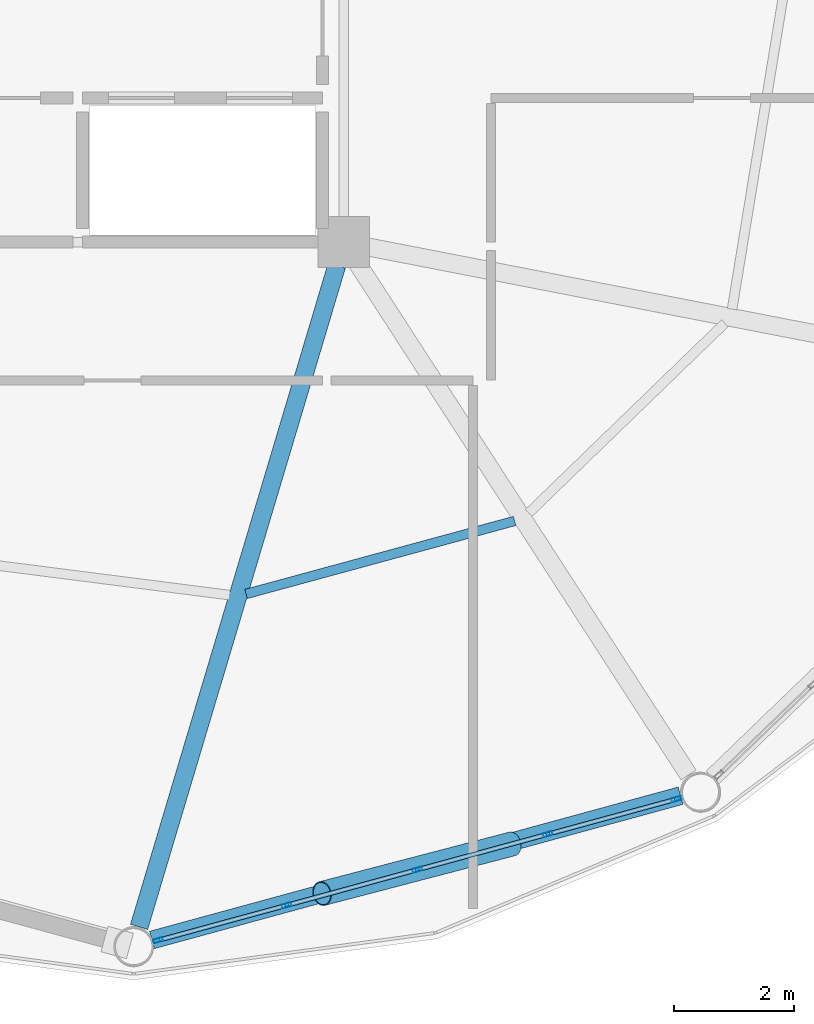
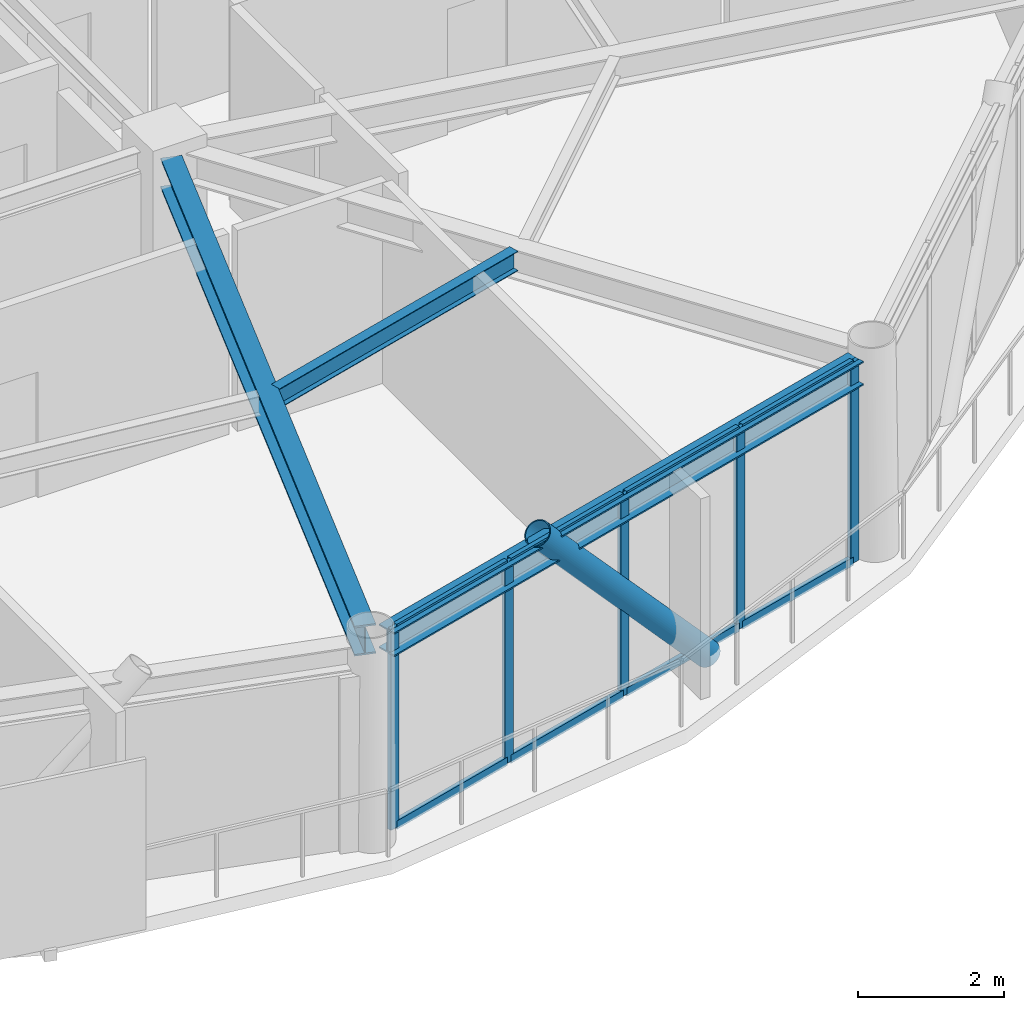
# One storey, part 7 of 26: 14 members, 3 beams, 1 element without a shape of its own.
"""IFC4 building model written with IfcOpenShell, lengths in metres."""

from ifc_helpers import new_model, si_unit, direction, frame, origin, origin_2d, place, context, subcontext, project, spatial, hollow_rectangle, hollow_circle, i_section, extrude, material, layer, layer_set, material_profile, profile_set, type_object, element, aggregate, save


model = new_model("IFC4")

# Units and contexts
model_context = context("Model", 3, precision=1e-05, world=origin(), true_north=direction((0.0, 1.0)))
body_context = subcontext(model_context, "Body", "Model", "MODEL_VIEW")
ifc_project = project(units=[si_unit("LENGTHUNIT", "METRE"), si_unit("AREAUNIT", "SQUARE_METRE"), si_unit("VOLUMEUNIT", "CUBIC_METRE"), si_unit("PLANEANGLEUNIT", "RADIAN"), si_unit("MASSUNIT", "GRAM", prefix="KILO")], contexts=[model_context])

# Site, building, storey
site_placement = place(None, origin())
site = spatial("IfcSite", under=ifc_project, at=site_placement, CompositionType="ELEMENT")
building_placement = place(site_placement, origin())
building = spatial("IfcBuilding", under=site, at=building_placement, Name="Varnakorn Sky Granary", CompositionType="ELEMENT")
storey_placement = place(building_placement, frame((0.0, 0.0, 218.39990234375)))
storey = spatial("IfcBuildingStorey", under=building, at=storey_placement, Name="L55", CompositionType="ELEMENT", Elevation=218.39990234375)

# Beams
ifc_material_1 = material(Name="Steel S355JR", Category="steel")
ifc_material_profile_1 = material_profile(ifc_material_1, i_section(OverallWidth=0.300048828125, OverallDepth=0.5, WebThickness=0.014404296875, FlangeThickness=0.028076171875, at=origin_2d()), Name="HE 500 B")
ifc_profile_set_1 = profile_set([ifc_material_profile_1], Name="Steel S355JR")
beam_type_1 = type_object("IfcBeamType", Name="BM-RAD-Z4", PredefinedType="BEAM", material=ifc_profile_set_1)
beam_1_placement = place(storey_placement, frame((8.23388671875, -6.988037109375, 3.110107421875), z_axis=(-0.286360430212, -0.958121967188, 0.0), x_axis=(0.958121967188, -0.286360430212, 0.0)))
element("IfcBeam", 1, at=beam_1_placement, inside=storey, type_object=beam_type_1, Name="Radial Floor Girder RG10 L55", PredefinedType="BEAM", context=body_context, shape_type="SweptSolid", body=[
    extrude(i_section(OverallWidth=0.300048828125, OverallDepth=0.5, WebThickness=0.014404296875, FlangeThickness=0.028076171875, at=origin_2d()), origin(), (0.0, 0.0, 1.0), 11.501953125),
])
ifc_material_profile_2 = material_profile(ifc_material_1, i_section(OverallWidth=0.159912109375, OverallDepth=0.330078125, WebThickness=0.007568359375, FlangeThickness=0.011474609375, at=origin_2d()), Name="IPE 330")
ifc_profile_set_2 = profile_set([ifc_material_profile_2], Name="Steel S355JR")
beam_type_2 = type_object("IfcBeamType", Name="BM-SEC-Z4", PredefinedType="BEAM", material=ifc_profile_set_2)
beam_2_placement = place(storey_placement, frame((6.72216796875, -12.46142578125, 3.195068359375), z_axis=(0.964962749065, 0.262386914531, 0.0), x_axis=(-0.262386914531, 0.964962749065, 0.0)))
element("IfcBeam", 2, at=beam_2_placement, inside=storey, type_object=beam_type_2, Name="Secondary Floor Chord Beam MSB10 L55", PredefinedType="BEAM", context=body_context, shape_type="SweptSolid", body=[
    extrude(i_section(OverallWidth=0.159912109375, OverallDepth=0.330078125, WebThickness=0.007568359375, FlangeThickness=0.011474609375, at=origin_2d()), origin(), (0.0, 0.0, 1.0), 4.638427734375),
])
ifc_material_profile_3 = material_profile(ifc_material_1, i_section(OverallWidth=0.300048828125, OverallDepth=0.39990234375, WebThickness=0.013427734375, FlangeThickness=0.02392578125, at=origin_2d()), Name="HE 400 B")
ifc_profile_set_3 = profile_set([ifc_material_profile_3], Name="Steel S355JR")
beam_type_3 = type_object("IfcBeamType", Name="BM-SPD-Z4", PredefinedType="SPANDREL", material=ifc_profile_set_3)
beam_3_placement = place(storey_placement, frame((5.15380859375, -18.22705078125, 3.16015625), z_axis=(0.964721853725, 0.263271238357, 0.0), x_axis=(-0.263271238357, 0.964721853725, 0.0)))
element("IfcBeam", 3, at=beam_3_placement, inside=storey, type_object=beam_type_3, Name="Perimeter Spandrel Ring Beam RB10 L55", PredefinedType="SPANDREL", context=body_context, shape_type="SweptSolid", body=[
    extrude(i_section(OverallWidth=0.300048828125, OverallDepth=0.39990234375, WebThickness=0.013427734375, FlangeThickness=0.02392578125, at=origin_2d()), origin(), (0.0, 0.0, 1.0), 9.13134765625),
])

# Curtain wall, members
ifc_material_2 = material(Name="Anodised Bronze Aluminium Alloy 6063-T6", Category="aluminium")
ifc_layer = layer(ifc_material_2, 0.169921875, Name="Anodised Bronze Aluminium Alloy 6063-T6")
ifc_layer_set = layer_set([ifc_layer], Name="Anodised Bronze Aluminium Alloy 6063-T6")
curtain_wall_type = type_object("IfcCurtainWallType", Name="CW-LAB-1", PredefinedType="USERDEFINED", material=ifc_layer_set)
curtain_wall_placement = place(storey_placement, origin())
curtain_wall = element("IfcCurtainWall", 4, at=curtain_wall_placement, inside=storey, type_object=curtain_wall_type, Name="Unitised Curtain Wall CW5 CW-L55-B10", ObjectType="CURTAIN WALL", PredefinedType="USERDEFINED")
ifc_material_profile_4 = material_profile(ifc_material_2, hollow_rectangle(XDim=0.06494140625, YDim=0.159912109375, WallThickness=0.00341796875, at=origin_2d()), Name="ALU MULL 65x160")
ifc_profile_set_4 = profile_set([ifc_material_profile_4], Name="Anodised Bronze Aluminium Alloy 6063-T6")
member_type_1 = type_object("IfcMemberType", Name="CW-LAB-1-MULL", PredefinedType="MULLION", material=ifc_profile_set_4)
member_1_placement = place(storey_placement, frame((13.893310546875, -15.880615234375, 0.0), z_axis=(0.0, 0.0, 1.0), x_axis=(0.262829253294, -0.964842362053, 0.0)))
member_1 = element("IfcMember", 5, at=member_1_placement, type_object=member_type_1, Name="CW5 mullion 1", PredefinedType="MULLION", context=body_context, shape_type="SweptSolid", body=[
    extrude(hollow_rectangle(XDim=0.06494140625, YDim=0.159912109375, WallThickness=0.00341796875, at=origin_2d()), origin(), (0.0, 0.0, 1.0), 3.360107421875),
])
member_2_placement = place(storey_placement, frame((11.75, -16.46435546875, 0.0), z_axis=(0.0, 0.0, 1.0), x_axis=(0.262829253294, -0.964842362053, 0.0)))
member_2 = element("IfcMember", 6, at=member_2_placement, type_object=member_type_1, Name="CW5 mullion 2", PredefinedType="MULLION", context=body_context, shape_type="SweptSolid", body=[
    extrude(hollow_rectangle(XDim=0.06494140625, YDim=0.159912109375, WallThickness=0.00341796875, at=origin_2d()), origin(), (0.0, 0.0, 1.0), 3.360107421875),
])
member_3_placement = place(storey_placement, frame((9.575439453125, -17.056640625, 0.0), z_axis=(0.0, 0.0, 1.0), x_axis=(0.262829253294, -0.964842362053, 0.0)))
member_3 = element("IfcMember", 7, at=member_3_placement, type_object=member_type_1, Name="CW5 mullion 3", PredefinedType="MULLION", context=body_context, shape_type="SweptSolid", body=[
    extrude(hollow_rectangle(XDim=0.06494140625, YDim=0.159912109375, WallThickness=0.00341796875, at=origin_2d()), origin(), (0.0, 0.0, 1.0), 3.360107421875),
])
member_4_placement = place(storey_placement, frame((7.40087890625, -17.649169921875, 0.0), z_axis=(0.0, 0.0, 1.0), x_axis=(0.262829253294, -0.964842362053, 0.0)))
member_4 = element("IfcMember", 8, at=member_4_placement, type_object=member_type_1, Name="CW5 mullion 4", PredefinedType="MULLION", context=body_context, shape_type="SweptSolid", body=[
    extrude(hollow_rectangle(XDim=0.06494140625, YDim=0.159912109375, WallThickness=0.00341796875, at=origin_2d()), origin(), (0.0, 0.0, 1.0), 3.360107421875),
])
member_5_placement = place(storey_placement, frame((5.257568359375, -18.23291015625, 0.0), z_axis=(0.0, 0.0, 1.0), x_axis=(0.262829253294, -0.964842362053, 0.0)))
member_5 = element("IfcMember", 9, at=member_5_placement, type_object=member_type_1, Name="CW5 mullion 5", PredefinedType="MULLION", context=body_context, shape_type="SweptSolid", body=[
    extrude(hollow_rectangle(XDim=0.06494140625, YDim=0.159912109375, WallThickness=0.00341796875, at=origin_2d()), origin(), (0.0, 0.0, 1.0), 3.360107421875),
])
ifc_material_profile_5 = material_profile(ifc_material_2, hollow_rectangle(XDim=0.070068359375, YDim=0.139892578125, WallThickness=0.00341796875, at=origin_2d()), Name="ALU TRAN 70x140")
ifc_profile_set_5 = profile_set([ifc_material_profile_5], Name="Anodised Bronze Aluminium Alloy 6063-T6")
member_type_2 = type_object("IfcMemberType", Name="CW-LAB-1-TRAN", PredefinedType="USERDEFINED", material=ifc_profile_set_5)
member_6_placement = place(storey_placement, frame((13.862060546875, -15.88916015625, 0.03515625), z_axis=(-0.96485520936, -0.262782086473, 0.0), x_axis=(0.262782086473, -0.96485520936, 0.0)))
member_6 = element("IfcMember", 10, at=member_6_placement, type_object=member_type_2, Name="CW5 transom 1.1", ObjectType="TRANSOM", PredefinedType="USERDEFINED", context=body_context, shape_type="SweptSolid", body=[
    extrude(hollow_rectangle(XDim=0.070068359375, YDim=0.139892578125, WallThickness=0.00341796875, at=origin_2d()), origin(), (0.0, 0.0, 1.0), 2.15625),
])
member_7_placement = place(storey_placement, frame((13.862060546875, -15.88916015625, 3.3251953125), z_axis=(-0.96485520936, -0.262782086473, 0.0), x_axis=(0.262782086473, -0.96485520936, 0.0)))
member_7 = element("IfcMember", 11, at=member_7_placement, type_object=member_type_2, Name="CW5 transom 1.2", ObjectType="TRANSOM", PredefinedType="USERDEFINED", context=body_context, shape_type="SweptSolid", body=[
    extrude(hollow_rectangle(XDim=0.070068359375, YDim=0.139892578125, WallThickness=0.00341796875, at=origin_2d()), origin(), (0.0, 0.0, 1.0), 2.15625),
])
member_8_placement = place(storey_placement, frame((11.71875, -16.472900390625, 0.03515625), z_axis=(-0.964851286615, -0.262796489164, 0.0), x_axis=(0.262796489164, -0.964851286615, 0.0)))
member_8 = element("IfcMember", 12, at=member_8_placement, type_object=member_type_2, Name="CW5 transom 2.1", ObjectType="TRANSOM", PredefinedType="USERDEFINED", context=body_context, shape_type="SweptSolid", body=[
    extrude(hollow_rectangle(XDim=0.070068359375, YDim=0.139892578125, WallThickness=0.00341796875, at=origin_2d()), origin(), (0.0, 0.0, 1.0), 2.188720703125),
])
member_9_placement = place(storey_placement, frame((11.71875, -16.472900390625, 3.3251953125), z_axis=(-0.964851286615, -0.262796489164, 0.0), x_axis=(0.262796489164, -0.964851286615, 0.0)))
member_9 = element("IfcMember", 13, at=member_9_placement, type_object=member_type_2, Name="CW5 transom 2.2", ObjectType="TRANSOM", PredefinedType="USERDEFINED", context=body_context, shape_type="SweptSolid", body=[
    extrude(hollow_rectangle(XDim=0.070068359375, YDim=0.139892578125, WallThickness=0.00341796875, at=origin_2d()), origin(), (0.0, 0.0, 1.0), 2.188720703125),
])
member_10_placement = place(storey_placement, frame((9.544189453125, -17.065185546875, 0.03515625), z_axis=(-0.964822998939, -0.262900324682, 0.0), x_axis=(0.262900324682, -0.964822998939, 0.0)))
member_10 = element("IfcMember", 14, at=member_10_placement, type_object=member_type_2, Name="CW5 transom 3.1", ObjectType="TRANSOM", PredefinedType="USERDEFINED", context=body_context, shape_type="SweptSolid", body=[
    extrude(hollow_rectangle(XDim=0.070068359375, YDim=0.139892578125, WallThickness=0.00341796875, at=origin_2d()), origin(), (0.0, 0.0, 1.0), 2.188720703125),
])
member_11_placement = place(storey_placement, frame((9.544189453125, -17.065185546875, 3.3251953125), z_axis=(-0.964822998939, -0.262900324682, 0.0), x_axis=(0.262900324682, -0.964822998939, 0.0)))
member_11 = element("IfcMember", 15, at=member_11_placement, type_object=member_type_2, Name="CW5 transom 3.2", ObjectType="TRANSOM", PredefinedType="USERDEFINED", context=body_context, shape_type="SweptSolid", body=[
    extrude(hollow_rectangle(XDim=0.070068359375, YDim=0.139892578125, WallThickness=0.00341796875, at=origin_2d()), origin(), (0.0, 0.0, 1.0), 2.188720703125),
])
member_12_placement = place(storey_placement, frame((7.36962890625, -17.65771484375, 0.03515625), z_axis=(-0.96485520936, -0.262782086473, 0.0), x_axis=(0.262782086473, -0.96485520936, 0.0)))
member_12 = element("IfcMember", 16, at=member_12_placement, type_object=member_type_2, Name="CW5 transom 4.1", ObjectType="TRANSOM", PredefinedType="USERDEFINED", context=body_context, shape_type="SweptSolid", body=[
    extrude(hollow_rectangle(XDim=0.070068359375, YDim=0.139892578125, WallThickness=0.00341796875, at=origin_2d()), origin(), (0.0, 0.0, 1.0), 2.15625),
])
member_13_placement = place(storey_placement, frame((7.36962890625, -17.65771484375, 3.3251953125), z_axis=(-0.96485520936, -0.262782086473, 0.0), x_axis=(0.262782086473, -0.96485520936, 0.0)))
member_13 = element("IfcMember", 17, at=member_13_placement, type_object=member_type_2, Name="CW5 transom 4.2", ObjectType="TRANSOM", PredefinedType="USERDEFINED", context=body_context, shape_type="SweptSolid", body=[
    extrude(hollow_rectangle(XDim=0.070068359375, YDim=0.139892578125, WallThickness=0.00341796875, at=origin_2d()), origin(), (0.0, 0.0, 1.0), 2.15625),
])
aggregate(curtain_wall, [member_1, member_2, member_3, member_4, member_5, member_6, member_7, member_8, member_9, member_10, member_11, member_12, member_13])

# Member
ifc_material_3 = material(Name="Steel S460M", Category="steel")
ifc_material_profile_6 = material_profile(ifc_material_3, hollow_circle(Radius=0.203125, WallThickness=0.01611328125, at=origin_2d()), Name="CHS 406.4x16")
ifc_profile_set_6 = profile_set([ifc_material_profile_6], Name="Steel S460M")
member_type_3 = type_object("IfcMemberType", Name="MB-DIAG-T4", PredefinedType="BRACE", material=ifc_profile_set_6)
member_14_placement = place(storey_placement, frame((11.150634765625, -16.627685546875, -0.1298828125), z_axis=(-0.648326857945, -0.169315940816, 0.74229670446), x_axis=(0.252683453774, -0.967549002474, 0.0)))
element("IfcMember", 18, at=member_14_placement, inside=storey, type_object=member_type_3, Name="Perimeter CHS Diagrid Brace DG10 L55", PredefinedType="BRACE", context=body_context, shape_type="SweptSolid", body=[
    extrude(hollow_circle(Radius=0.203125, WallThickness=0.01611328125, at=origin_2d()), origin(), (0.0, 0.0, 1.0), 4.87646484375),
])

save(model, "model.ifc")
